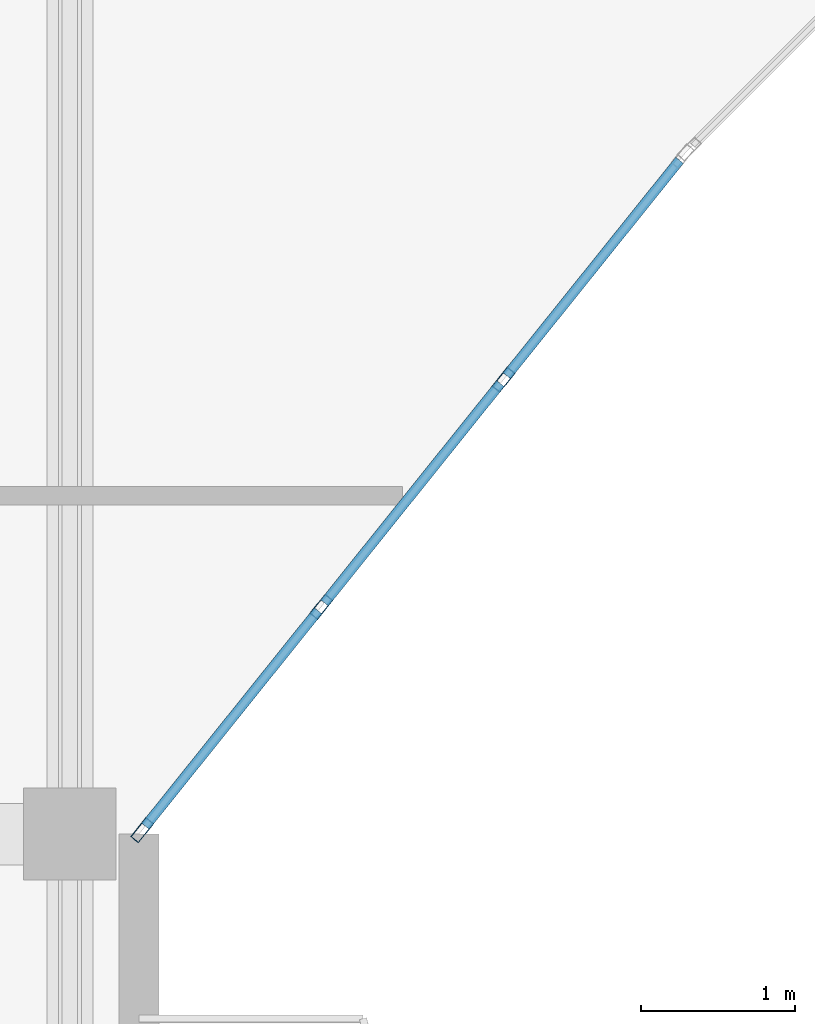
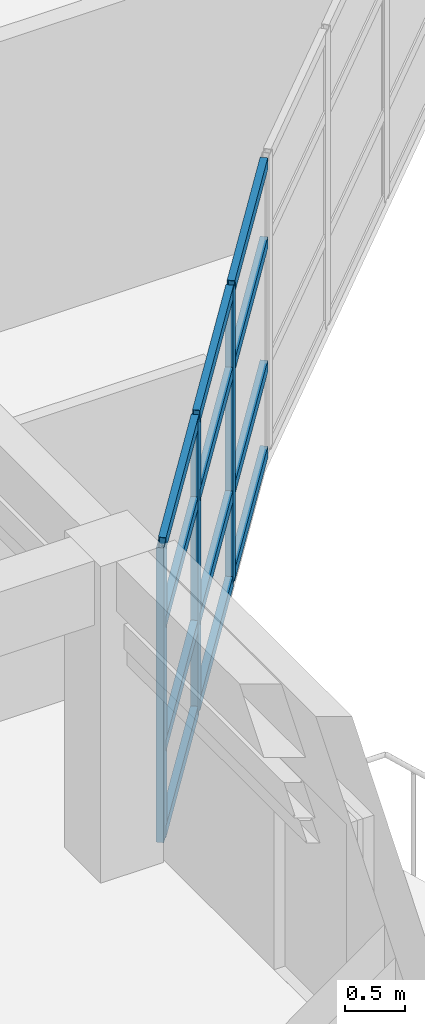
# One storey, part 10 of 79: 15 members, 1 element without a shape of its own.
"""IFC4 building model written with IfcOpenShell, lengths in metres."""

from ifc_helpers import new_model, si_unit, direction, frame, origin, origin_2d, place, context, subcontext, project, spatial, hollow_rectangle, extrude, material, layer, layer_set, material_profile, profile_set, type_object, element, aggregate, save


model = new_model("IFC4")

# Units and contexts
model_context = context("Model", 3, precision=1e-05, world=origin(), true_north=direction((0.0, 1.0)))
body_context = subcontext(model_context, "Body", "Model", "MODEL_VIEW")
ifc_project = project(units=[si_unit("LENGTHUNIT", "METRE"), si_unit("AREAUNIT", "SQUARE_METRE"), si_unit("VOLUMEUNIT", "CUBIC_METRE"), si_unit("PLANEANGLEUNIT", "RADIAN"), si_unit("MASSUNIT", "GRAM", prefix="KILO")], contexts=[model_context])

# Site, building, storey
site_placement = place(None, origin())
site = spatial("IfcSite", under=ifc_project, at=site_placement, CompositionType="ELEMENT")
building_placement = place(site_placement, origin())
building = spatial("IfcBuilding", under=site, at=building_placement, Name="Keldmere Railside Commons", CompositionType="ELEMENT")
storey_placement = place(building_placement, frame((0.0, 0.0, 10.56005859375)))
storey = spatial("IfcBuildingStorey", under=building, at=storey_placement, Name="L03", CompositionType="ELEMENT", Elevation=10.56005859375)

# Curtain wall, members
ifc_material = material(Name="Thermally Broken Aluminium", Category="aluminium")
ifc_layer = layer(ifc_material, 0.159912109375, Name="Court Chord Wintergarden CW 4800x2850")
ifc_layer_set = layer_set([ifc_layer], Name="Thermally Broken Aluminium")
curtain_wall_type = type_object("IfcCurtainWallType", Name="Court Chord Wintergarden CW 4800x2850", PredefinedType="NOTDEFINED", material=ifc_layer_set)
curtain_wall_placement = place(storey_placement, origin())
curtain_wall = element("IfcCurtainWall", 1, at=curtain_wall_placement, inside=storey, type_object=curtain_wall_type, Name="CW-12 CW-L03-043", PredefinedType="NOTDEFINED")
ifc_material_profile_1 = material_profile(ifc_material, hollow_rectangle(XDim=0.06494140625, YDim=0.159912109375, WallThickness=0.00390625, at=origin_2d()), Name="ALU-MULL-65x160")
ifc_profile_set_1 = profile_set([ifc_material_profile_1], Name="Thermally Broken Aluminium")
member_type_1 = type_object("IfcMemberType", Name="Unitised Curtain Wall Mullion 65x160", PredefinedType="MULLION", material=ifc_profile_set_1)
member_1_placement = place(storey_placement, frame((66.369384765625, 90.953369140625, 0.0), z_axis=(0.0, 0.0, 1.0), x_axis=(0.780009172323, -0.625768080915, 0.0)))
member_1 = element("IfcMember", 2, at=member_1_placement, type_object=member_type_1, Name="CW-12 mullion 2", PredefinedType="MULLION", context=body_context, shape_type="SweptSolid", body=[
    extrude(hollow_rectangle(XDim=0.06494140625, YDim=0.159912109375, WallThickness=0.00390625, at=origin_2d()), origin(), (0.0, 0.0, 1.0), 2.97998046875),
])
member_2_placement = place(storey_placement, frame((65.1845703125, 89.4765625, 0.0), z_axis=(0.0, 0.0, 1.0), x_axis=(0.780009172323, -0.625768080915, 0.0)))
member_2 = element("IfcMember", 3, at=member_2_placement, type_object=member_type_1, Name="CW-12 mullion 3", PredefinedType="MULLION", context=body_context, shape_type="SweptSolid", body=[
    extrude(hollow_rectangle(XDim=0.06494140625, YDim=0.159912109375, WallThickness=0.00390625, at=origin_2d()), origin(), (0.0, 0.0, 1.0), 2.97998046875),
])
member_3_placement = place(storey_placement, frame((64.020263671875, 88.025390625, 0.0), z_axis=(0.0, 0.0, 1.0), x_axis=(0.780009172323, -0.625768080915, 0.0)))
member_3 = element("IfcMember", 4, at=member_3_placement, type_object=member_type_1, Name="CW-12 mullion 4", PredefinedType="MULLION", context=body_context, shape_type="SweptSolid", body=[
    extrude(hollow_rectangle(XDim=0.06494140625, YDim=0.159912109375, WallThickness=0.00390625, at=origin_2d()), origin(), (0.0, 0.0, 1.0), 2.97998046875),
])
ifc_material_profile_2 = material_profile(ifc_material, hollow_rectangle(XDim=0.06494140625, YDim=0.1201171875, WallThickness=0.00390625, at=origin_2d()), Name="ALU-TRAN-65x120")
ifc_profile_set_2 = profile_set([ifc_material_profile_2], Name="Thermally Broken Aluminium")
member_type_2 = type_object("IfcMemberType", Name="Unitised Curtain Wall Transom 65x120", PredefinedType="USERDEFINED", material=ifc_profile_set_2)
member_4_placement = place(storey_placement, frame((67.513427734375, 92.37939453125, 0.032470703125), z_axis=(-0.625805275091, -0.779979331565, 0.0), x_axis=(0.779979331565, -0.625805275091, 0.0)))
member_4 = element("IfcMember", 5, at=member_4_placement, type_object=member_type_2, Name="CW-12 transom 1.1", ObjectType="TRANSOM", PredefinedType="USERDEFINED", context=body_context, shape_type="SweptSolid", body=[
    extrude(hollow_rectangle(XDim=0.06494140625, YDim=0.1201171875, WallThickness=0.00390625, at=origin_2d()), origin(), (0.0, 0.0, 1.0), 1.795654296875),
])
member_5_placement = place(storey_placement, frame((67.513427734375, 92.37939453125, 0.89990234375), z_axis=(-0.625805275091, -0.779979331565, 0.0), x_axis=(0.779979331565, -0.625805275091, 0.0)))
member_5 = element("IfcMember", 6, at=member_5_placement, type_object=member_type_2, Name="CW-12 transom 1.2", ObjectType="TRANSOM", PredefinedType="USERDEFINED", context=body_context, shape_type="SweptSolid", body=[
    extrude(hollow_rectangle(XDim=0.06494140625, YDim=0.1201171875, WallThickness=0.00390625, at=origin_2d()), origin(), (0.0, 0.0, 1.0), 1.795654296875),
])
member_6_placement = place(storey_placement, frame((67.513427734375, 92.37939453125, 2.14990234375), z_axis=(-0.625805275091, -0.779979331565, 0.0), x_axis=(0.779979331565, -0.625805275091, 0.0)))
member_6 = element("IfcMember", 7, at=member_6_placement, type_object=member_type_2, Name="CW-12 transom 1.3", ObjectType="TRANSOM", PredefinedType="USERDEFINED", context=body_context, shape_type="SweptSolid", body=[
    extrude(hollow_rectangle(XDim=0.06494140625, YDim=0.1201171875, WallThickness=0.00390625, at=origin_2d()), origin(), (0.0, 0.0, 1.0), 1.795654296875),
])
member_7_placement = place(storey_placement, frame((67.513427734375, 92.37939453125, 2.947509765625), z_axis=(-0.625805275091, -0.779979331565, 0.0), x_axis=(0.779979331565, -0.625805275091, 0.0)))
member_7 = element("IfcMember", 8, at=member_7_placement, type_object=member_type_2, Name="CW-12 transom 1.4", ObjectType="TRANSOM", PredefinedType="USERDEFINED", context=body_context, shape_type="SweptSolid", body=[
    extrude(hollow_rectangle(XDim=0.06494140625, YDim=0.1201171875, WallThickness=0.00390625, at=origin_2d()), origin(), (0.0, 0.0, 1.0), 1.795654296875),
])
member_8_placement = place(storey_placement, frame((66.348876953125, 90.927978515625, 0.032470703125), z_axis=(-0.625688033635, -0.78007338409, 0.0), x_axis=(0.78007338409, -0.625688033635, 0.0)))
member_8 = element("IfcMember", 9, at=member_8_placement, type_object=member_type_2, Name="CW-12 transom 2.1", ObjectType="TRANSOM", PredefinedType="USERDEFINED", context=body_context, shape_type="SweptSolid", body=[
    extrude(hollow_rectangle(XDim=0.06494140625, YDim=0.1201171875, WallThickness=0.00390625, at=origin_2d()), origin(), (0.0, 0.0, 1.0), 1.828125),
])
member_9_placement = place(storey_placement, frame((66.348876953125, 90.927978515625, 0.89990234375), z_axis=(-0.625688033635, -0.78007338409, 0.0), x_axis=(0.78007338409, -0.625688033635, 0.0)))
member_9 = element("IfcMember", 10, at=member_9_placement, type_object=member_type_2, Name="CW-12 transom 2.2", ObjectType="TRANSOM", PredefinedType="USERDEFINED", context=body_context, shape_type="SweptSolid", body=[
    extrude(hollow_rectangle(XDim=0.06494140625, YDim=0.1201171875, WallThickness=0.00390625, at=origin_2d()), origin(), (0.0, 0.0, 1.0), 1.828125),
])
member_10_placement = place(storey_placement, frame((66.348876953125, 90.927978515625, 2.14990234375), z_axis=(-0.625688033635, -0.78007338409, 0.0), x_axis=(0.78007338409, -0.625688033635, 0.0)))
member_10 = element("IfcMember", 11, at=member_10_placement, type_object=member_type_2, Name="CW-12 transom 2.3", ObjectType="TRANSOM", PredefinedType="USERDEFINED", context=body_context, shape_type="SweptSolid", body=[
    extrude(hollow_rectangle(XDim=0.06494140625, YDim=0.1201171875, WallThickness=0.00390625, at=origin_2d()), origin(), (0.0, 0.0, 1.0), 1.828125),
])
member_11_placement = place(storey_placement, frame((66.348876953125, 90.927978515625, 2.947509765625), z_axis=(-0.625688033635, -0.78007338409, 0.0), x_axis=(0.78007338409, -0.625688033635, 0.0)))
member_11 = element("IfcMember", 12, at=member_11_placement, type_object=member_type_2, Name="CW-12 transom 2.4", ObjectType="TRANSOM", PredefinedType="USERDEFINED", context=body_context, shape_type="SweptSolid", body=[
    extrude(hollow_rectangle(XDim=0.06494140625, YDim=0.1201171875, WallThickness=0.00390625, at=origin_2d()), origin(), (0.0, 0.0, 1.0), 1.828125),
])
member_12_placement = place(storey_placement, frame((65.164306640625, 89.451416015625, 0.032470703125), z_axis=(-0.625722553313, -0.780045694992, 0.0), x_axis=(0.780045694992, -0.625722553313, 0.0)))
member_12 = element("IfcMember", 13, at=member_12_placement, type_object=member_type_2, Name="CW-12 transom 3.1", ObjectType="TRANSOM", PredefinedType="USERDEFINED", context=body_context, shape_type="SweptSolid", body=[
    extrude(hollow_rectangle(XDim=0.06494140625, YDim=0.1201171875, WallThickness=0.00390625, at=origin_2d()), origin(), (0.0, 0.0, 1.0), 1.795654296875),
])
member_13_placement = place(storey_placement, frame((65.164306640625, 89.451416015625, 0.89990234375), z_axis=(-0.625722553313, -0.780045694992, 0.0), x_axis=(0.780045694992, -0.625722553313, 0.0)))
member_13 = element("IfcMember", 14, at=member_13_placement, type_object=member_type_2, Name="CW-12 transom 3.2", ObjectType="TRANSOM", PredefinedType="USERDEFINED", context=body_context, shape_type="SweptSolid", body=[
    extrude(hollow_rectangle(XDim=0.06494140625, YDim=0.1201171875, WallThickness=0.00390625, at=origin_2d()), origin(), (0.0, 0.0, 1.0), 1.795654296875),
])
member_14_placement = place(storey_placement, frame((65.164306640625, 89.451416015625, 2.14990234375), z_axis=(-0.625722553313, -0.780045694992, 0.0), x_axis=(0.780045694992, -0.625722553313, 0.0)))
member_14 = element("IfcMember", 15, at=member_14_placement, type_object=member_type_2, Name="CW-12 transom 3.3", ObjectType="TRANSOM", PredefinedType="USERDEFINED", context=body_context, shape_type="SweptSolid", body=[
    extrude(hollow_rectangle(XDim=0.06494140625, YDim=0.1201171875, WallThickness=0.00390625, at=origin_2d()), origin(), (0.0, 0.0, 1.0), 1.795654296875),
])
member_15_placement = place(storey_placement, frame((65.164306640625, 89.451416015625, 2.947509765625), z_axis=(-0.625722553313, -0.780045694992, 0.0), x_axis=(0.780045694992, -0.625722553313, 0.0)))
member_15 = element("IfcMember", 16, at=member_15_placement, type_object=member_type_2, Name="CW-12 transom 3.4", ObjectType="TRANSOM", PredefinedType="USERDEFINED", context=body_context, shape_type="SweptSolid", body=[
    extrude(hollow_rectangle(XDim=0.06494140625, YDim=0.1201171875, WallThickness=0.00390625, at=origin_2d()), origin(), (0.0, 0.0, 1.0), 1.795654296875),
])
aggregate(curtain_wall, [member_1, member_2, member_3, member_4, member_5, member_6, member_7, member_8, member_9, member_10, member_11, member_12, member_13, member_14, member_15])

save(model, "model.ifc")
